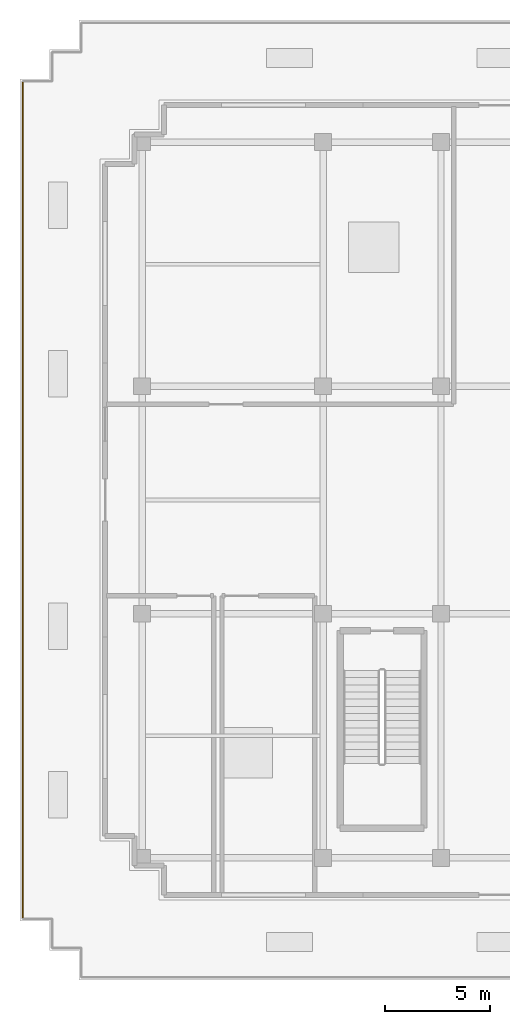
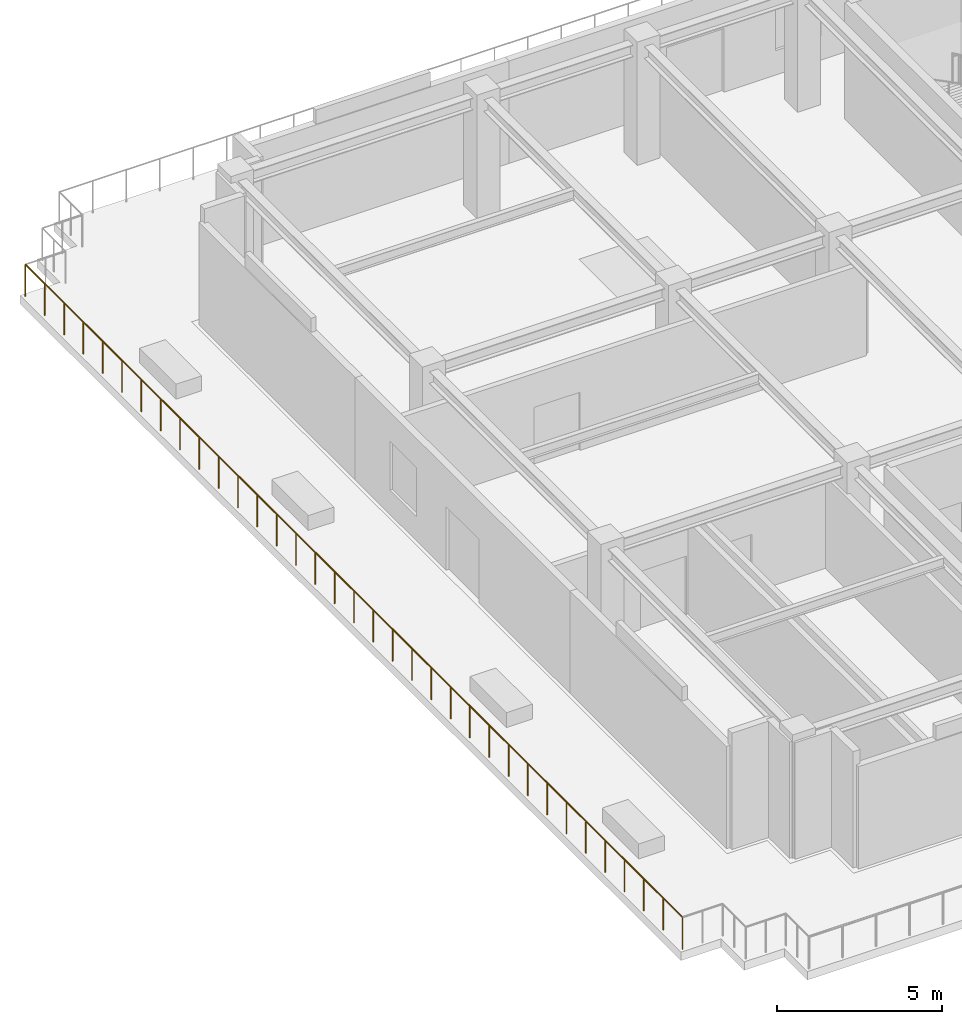
# One storey, part 8 of 13: 1 railing.
"""IFC4 building model written with IfcOpenShell, lengths in metres."""

from ifc_helpers import new_model, si_unit, direction, frame, origin, origin_2d, place, context, subcontext, project, spatial, circle, extrude, material, type_object, element, save


model = new_model("IFC4")

# Units and contexts
model_context = context("Model", 3, precision=1e-05, world=origin(), true_north=direction((0.0, 1.0)))
body_context = subcontext(model_context, "Body", "Model", "MODEL_VIEW")
ifc_project = project(units=[si_unit("LENGTHUNIT", "METRE"), si_unit("AREAUNIT", "SQUARE_METRE"), si_unit("VOLUMEUNIT", "CUBIC_METRE"), si_unit("PLANEANGLEUNIT", "RADIAN"), si_unit("MASSUNIT", "GRAM", prefix="KILO")], contexts=[model_context])

# Site, building, storey
site_placement = place(None, origin())
site = spatial("IfcSite", under=ifc_project, at=site_placement, CompositionType="ELEMENT")
building_placement = place(site_placement, origin())
building = spatial("IfcBuilding", under=site, at=building_placement, Name="Nahalor Promenade Grand Hotel", CompositionType="ELEMENT")
storey_placement = place(building_placement, frame((0.0, 0.0, 357.050048828125)))
storey = spatial("IfcBuildingStorey", under=building, at=storey_placement, Name="L91", CompositionType="ELEMENT", Elevation=357.050048828125)

# Railing
ifc_material = material(Name="Anodised Bronze Aluminium EN AW-6063 T6", Category="aluminium")
railing_type = type_object("IfcRailingType", Name="Bronze Balcony Guardrail 1200 mm", PredefinedType="GUARDRAIL", material=ifc_material)
railing_placement = place(storey_placement, frame((-22.679931640625, 19.8798828125, 0.0)))
element("IfcRailing", 1, at=railing_placement, inside=storey, type_object=railing_type, Name="L91 Edge Guardrail RL-L91-SG-16", PredefinedType="GUARDRAIL", context=body_context, shape_type="SweptSolid", body=[
    extrude(circle(Radius=0.024048, at=origin_2d()), frame((0.0, 0.0, 1.17578125), z_axis=(0.0, -1.0, 0.0), x_axis=(1.0, 0.0, 0.0)), (0.0, 0.0, 1.0), 39.759765625),
    extrude(circle(Radius=0.020996, at=origin_2d()), origin(), (0.0, 0.0, 1.0), 1.14990234375),
    extrude(circle(Radius=0.020996, at=origin_2d()), frame((0.0, -1.16943359375, 0.0)), (0.0, 0.0, 1.0), 1.14990234375),
    extrude(circle(Radius=0.020996, at=origin_2d()), frame((0.0, -2.3388671875, 0.0)), (0.0, 0.0, 1.0), 1.14990234375),
    extrude(circle(Radius=0.020996, at=origin_2d()), frame((0.0, -3.50830078125, 0.0)), (0.0, 0.0, 1.0), 1.14990234375),
    extrude(circle(Radius=0.020996, at=origin_2d()), frame((0.0, -4.677734375, 0.0)), (0.0, 0.0, 1.0), 1.14990234375),
    extrude(circle(Radius=0.020996, at=origin_2d()), frame((0.0, -5.846923828125, 0.0)), (0.0, 0.0, 1.0), 1.14990234375),
    extrude(circle(Radius=0.020996, at=origin_2d()), frame((0.0, -7.016357421875, 0.0)), (0.0, 0.0, 1.0), 1.14990234375),
    extrude(circle(Radius=0.020996, at=origin_2d()), frame((0.0, -8.185791015625, 0.0)), (0.0, 0.0, 1.0), 1.14990234375),
    extrude(circle(Radius=0.020996, at=origin_2d()), frame((0.0, -9.355224609375, 0.0)), (0.0, 0.0, 1.0), 1.14990234375),
    extrude(circle(Radius=0.020996, at=origin_2d()), frame((0.0, -10.524658203125, 0.0)), (0.0, 0.0, 1.0), 1.14990234375),
    extrude(circle(Radius=0.020996, at=origin_2d()), frame((0.0, -11.694091796875, 0.0)), (0.0, 0.0, 1.0), 1.14990234375),
    extrude(circle(Radius=0.020996, at=origin_2d()), frame((0.0, -12.863525390625, 0.0)), (0.0, 0.0, 1.0), 1.14990234375),
    extrude(circle(Radius=0.020996, at=origin_2d()), frame((0.0, -14.032958984375, 0.0)), (0.0, 0.0, 1.0), 1.14990234375),
    extrude(circle(Radius=0.020996, at=origin_2d()), frame((0.0, -15.2021484375, 0.0)), (0.0, 0.0, 1.0), 1.14990234375),
    extrude(circle(Radius=0.020996, at=origin_2d()), frame((0.0, -16.37158203125, 0.0)), (0.0, 0.0, 1.0), 1.14990234375),
    extrude(circle(Radius=0.020996, at=origin_2d()), frame((0.0, -17.541015625, 0.0)), (0.0, 0.0, 1.0), 1.14990234375),
    extrude(circle(Radius=0.020996, at=origin_2d()), frame((0.0, -18.71044921875, 0.0)), (0.0, 0.0, 1.0), 1.14990234375),
    extrude(circle(Radius=0.020996, at=origin_2d()), frame((0.0, -19.8798828125, 0.0)), (0.0, 0.0, 1.0), 1.14990234375),
    extrude(circle(Radius=0.020996, at=origin_2d()), frame((0.0, -21.04931640625, 0.0)), (0.0, 0.0, 1.0), 1.14990234375),
    extrude(circle(Radius=0.020996, at=origin_2d()), frame((0.0, -22.21875, 0.0)), (0.0, 0.0, 1.0), 1.14990234375),
    extrude(circle(Radius=0.020996, at=origin_2d()), frame((0.0, -23.38818359375, 0.0)), (0.0, 0.0, 1.0), 1.14990234375),
    extrude(circle(Radius=0.020996, at=origin_2d()), frame((0.0, -24.5576171875, 0.0)), (0.0, 0.0, 1.0), 1.14990234375),
    extrude(circle(Radius=0.020996, at=origin_2d()), frame((0.0, -25.726806640625, 0.0)), (0.0, 0.0, 1.0), 1.14990234375),
    extrude(circle(Radius=0.020996, at=origin_2d()), frame((0.0, -26.896240234375, 0.0)), (0.0, 0.0, 1.0), 1.14990234375),
    extrude(circle(Radius=0.020996, at=origin_2d()), frame((0.0, -28.065673828125, 0.0)), (0.0, 0.0, 1.0), 1.14990234375),
    extrude(circle(Radius=0.020996, at=origin_2d()), frame((0.0, -29.235107421875, 0.0)), (0.0, 0.0, 1.0), 1.14990234375),
    extrude(circle(Radius=0.020996, at=origin_2d()), frame((0.0, -30.404541015625, 0.0)), (0.0, 0.0, 1.0), 1.14990234375),
    extrude(circle(Radius=0.020996, at=origin_2d()), frame((0.0, -31.573974609375, 0.0)), (0.0, 0.0, 1.0), 1.14990234375),
    extrude(circle(Radius=0.020996, at=origin_2d()), frame((0.0, -32.743408203125, 0.0)), (0.0, 0.0, 1.0), 1.14990234375),
    extrude(circle(Radius=0.020996, at=origin_2d()), frame((0.0, -33.912841796875, 0.0)), (0.0, 0.0, 1.0), 1.14990234375),
    extrude(circle(Radius=0.020996, at=origin_2d()), frame((0.0, -35.08203125, 0.0)), (0.0, 0.0, 1.0), 1.14990234375),
    extrude(circle(Radius=0.020996, at=origin_2d()), frame((0.0, -36.25146484375, 0.0)), (0.0, 0.0, 1.0), 1.14990234375),
    extrude(circle(Radius=0.020996, at=origin_2d()), frame((0.0, -37.4208984375, 0.0)), (0.0, 0.0, 1.0), 1.14990234375),
    extrude(circle(Radius=0.020996, at=origin_2d()), frame((0.0, -38.59033203125, 0.0)), (0.0, 0.0, 1.0), 1.14990234375),
    extrude(circle(Radius=0.020996, at=origin_2d()), frame((0.0, -39.759765625, 0.0)), (0.0, 0.0, 1.0), 1.14990234375),
])

save(model, "model.ifc")
